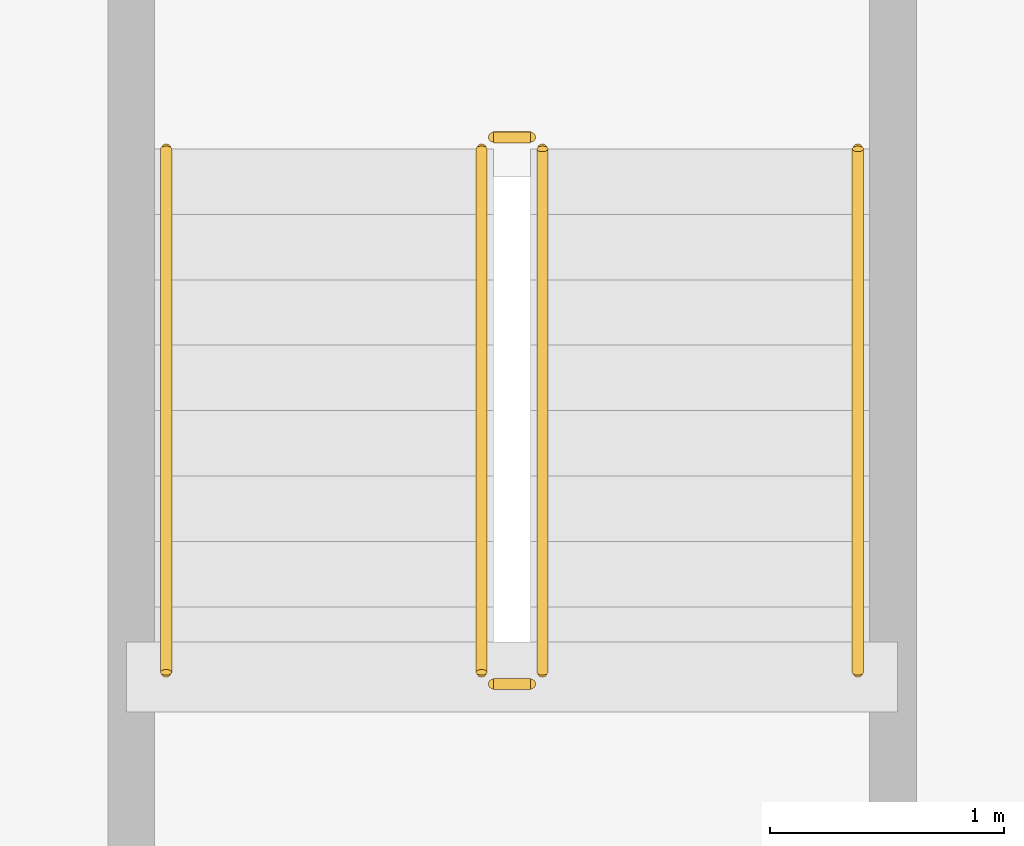
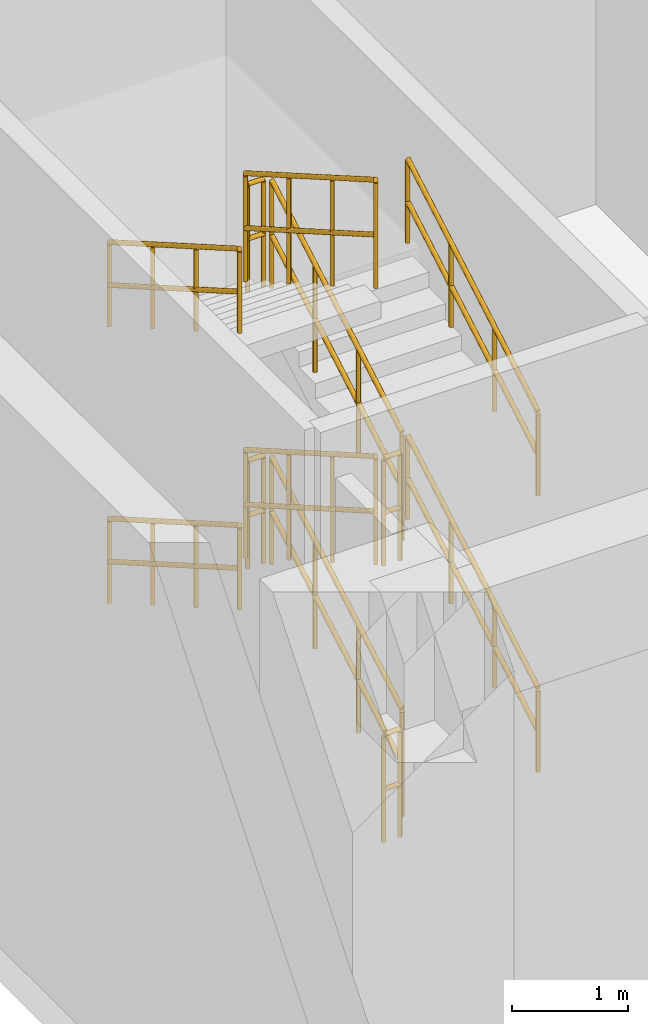
# One storey, part 11 of 12: 12 railings.
"""IFC4 building model written with IfcOpenShell, lengths in metres."""

from ifc_helpers import new_model, si_unit, direction, frame, origin, origin_2d, place, context, subcontext, project, spatial, circle, extrude, material, type_object, element, save


model = new_model("IFC4")

# Units and contexts
model_context = context("Model", 3, precision=1e-05, world=origin(), true_north=direction((0.0, 1.0)))
body_context = subcontext(model_context, "Body", "Model", "MODEL_VIEW")
ifc_project = project(units=[si_unit("LENGTHUNIT", "METRE"), si_unit("AREAUNIT", "SQUARE_METRE"), si_unit("VOLUMEUNIT", "CUBIC_METRE"), si_unit("PLANEANGLEUNIT", "RADIAN"), si_unit("MASSUNIT", "GRAM", prefix="KILO")], contexts=[model_context])

# Site, building, storey
site_placement = place(None, origin())
site = spatial("IfcSite", under=ifc_project, at=site_placement, CompositionType="ELEMENT")
building_placement = place(site_placement, origin())
building = spatial("IfcBuilding", under=site, at=building_placement, Name="Talar Marvaseh", CompositionType="ELEMENT")
storey_placement = place(building_placement, frame((0.0, 0.0, -5.800048828125)))
storey = spatial("IfcBuildingStorey", under=building, at=storey_placement, Name="B01", CompositionType="ELEMENT", Elevation=-5.800048828125)

# Railings
ifc_material = material(Name="Stainless Steel Grade 316", Category="steel")
railing_type_1 = type_object("IfcRailingType", Name="Brushed Stainless Wall Pitch Handrail 900", PredefinedType="HANDRAIL", material=ifc_material)
railing_1_placement = place(storey_placement, frame((5.2099609375, 40.25, 0.1611328125)))
element("IfcRailing", 1, at=railing_1_placement, inside=storey, type_object=railing_type_1, Name="B01 STN-ST1 stair handrail 1", PredefinedType="HANDRAIL", context=body_context, shape_type="SweptSolid", body=[
    extrude(circle(Radius=0.02392578125, at=origin_2d()), frame((0.0, 0.0, 0.8759765625), z_axis=(0.0, 0.866768490956, 0.498710720845), x_axis=(-1.0, 0.0, 0.0)), (0.0, 0.0, 1.0), 2.584228515625),
    extrude(circle(Radius=0.02392578125, at=origin_2d()), frame((0.0, 0.0, 0.42578125), z_axis=(0.0, 0.866768490956, 0.498710720845), x_axis=(-1.0, 0.0, 0.0)), (0.0, 0.0, 1.0), 2.584228515625),
    extrude(circle(Radius=0.02099609375, at=origin_2d()), origin(), (0.0, 0.0, 1.0), 0.851806640625),
    extrude(circle(Radius=0.02099609375, at=origin_2d()), frame((0.0, 0.74658203125, 0.4296875)), (0.0, 0.0, 1.0), 0.851806640625),
    extrude(circle(Radius=0.02099609375, at=origin_2d()), frame((0.0, 1.493408203125, 0.859130859375)), (0.0, 0.0, 1.0), 0.851806640625),
    extrude(circle(Radius=0.02099609375, at=origin_2d()), frame((0.0, 2.239990234375, 1.288818359375)), (0.0, 0.0, 1.0), 0.851806640625),
])
railing_2_placement = place(storey_placement, frame((2.25, 42.489990234375, 1.611083984375)))
element("IfcRailing", 2, at=railing_2_placement, inside=storey, type_object=railing_type_1, Name="B01 STN-ST1 stair handrail 2", PredefinedType="HANDRAIL", context=body_context, shape_type="SweptSolid", body=[
    extrude(circle(Radius=0.02392578125, at=origin_2d()), frame((0.0, 0.0, 0.8759765625), z_axis=(0.0, -0.866727653441, 0.498781690482), x_axis=(1.0, 0.0, 0.0)), (0.0, 0.0, 1.0), 2.58447265625),
    extrude(circle(Radius=0.02392578125, at=origin_2d()), frame((0.0, 0.0, 0.42578125), z_axis=(0.0, -0.866727653441, 0.498781690482), x_axis=(1.0, 0.0, 0.0)), (0.0, 0.0, 1.0), 2.58447265625),
    extrude(circle(Radius=0.02099609375, at=origin_2d()), origin(), (0.0, 0.0, 1.0), 0.851806640625),
    extrude(circle(Radius=0.02099609375, at=origin_2d()), frame((0.0, -0.74658203125, 0.4296875)), (0.0, 0.0, 1.0), 0.851806640625),
    extrude(circle(Radius=0.02099609375, at=origin_2d()), frame((0.0, -1.493408203125, 0.859375)), (0.0, 0.0, 1.0), 0.851806640625),
    extrude(circle(Radius=0.02099609375, at=origin_2d()), frame((0.0, -2.239990234375, 1.2890625)), (0.0, 0.0, 1.0), 0.851806640625),
])
railing_3_placement = place(storey_placement, frame((5.2099609375, 40.25, 3.061279296875)))
element("IfcRailing", 3, at=railing_3_placement, inside=storey, type_object=railing_type_1, Name="B01 STN-ST1 stair handrail 3", PredefinedType="HANDRAIL", context=body_context, shape_type="SweptSolid", body=[
    extrude(circle(Radius=0.02392578125, at=origin_2d()), frame((0.0, 0.0, 0.8759765625), z_axis=(0.0, 0.866768490956, 0.498710720845), x_axis=(-1.0, 0.0, 0.0)), (0.0, 0.0, 1.0), 2.584228515625),
    extrude(circle(Radius=0.02392578125, at=origin_2d()), frame((0.0, 0.0, 0.42578125), z_axis=(0.0, 0.866768490956, 0.498710720845), x_axis=(-1.0, 0.0, 0.0)), (0.0, 0.0, 1.0), 2.584228515625),
    extrude(circle(Radius=0.02099609375, at=origin_2d()), origin(), (0.0, 0.0, 1.0), 0.851806640625),
    extrude(circle(Radius=0.02099609375, at=origin_2d()), frame((0.0, 0.74658203125, 0.4296875)), (0.0, 0.0, 1.0), 0.851806640625),
    extrude(circle(Radius=0.02099609375, at=origin_2d()), frame((0.0, 1.493408203125, 0.859130859375)), (0.0, 0.0, 1.0), 0.851806640625),
    extrude(circle(Radius=0.02099609375, at=origin_2d()), frame((0.0, 2.239990234375, 1.288818359375)), (0.0, 0.0, 1.0), 0.851806640625),
])
railing_4_placement = place(storey_placement, frame((2.25, 42.489990234375, 4.51123046875)))
element("IfcRailing", 4, at=railing_4_placement, inside=storey, type_object=railing_type_1, Name="B01 STN-ST1 stair handrail 4", PredefinedType="HANDRAIL", context=body_context, shape_type="SweptSolid", body=[
    extrude(circle(Radius=0.02392578125, at=origin_2d()), frame((0.0, 0.0, 0.8759765625), z_axis=(0.0, -0.866768490956, 0.498710720845), x_axis=(1.0, 0.0, 0.0)), (0.0, 0.0, 1.0), 2.584228515625),
    extrude(circle(Radius=0.02392578125, at=origin_2d()), frame((0.0, 0.0, 0.42578125), z_axis=(0.0, -0.866768490956, 0.498710720845), x_axis=(1.0, 0.0, 0.0)), (0.0, 0.0, 1.0), 2.584228515625),
    extrude(circle(Radius=0.02099609375, at=origin_2d()), origin(), (0.0, 0.0, 1.0), 0.851806640625),
    extrude(circle(Radius=0.02099609375, at=origin_2d()), frame((0.0, -0.74658203125, 0.4296875)), (0.0, 0.0, 1.0), 0.851806640625),
    extrude(circle(Radius=0.02099609375, at=origin_2d()), frame((0.0, -1.493408203125, 0.859130859375)), (0.0, 0.0, 1.0), 0.851806640625),
    extrude(circle(Radius=0.02099609375, at=origin_2d()), frame((0.0, -2.239990234375, 1.288818359375)), (0.0, 0.0, 1.0), 0.851806640625),
])
railing_type_2 = type_object("IfcRailingType", Name="Painted Steel Core Stair Well Guardrail 1150", PredefinedType="GUARDRAIL", material=ifc_material)
railing_5_placement = place(storey_placement, frame((3.860107421875, 40.25, 0.1611328125)))
element("IfcRailing", 5, at=railing_5_placement, inside=storey, type_object=railing_type_2, Name="B01 STN-ST1 stair guard 1", PredefinedType="GUARDRAIL", context=body_context, shape_type="SweptSolid", body=[
    extrude(circle(Radius=0.02392578125, at=origin_2d()), frame((0.0, 0.0, 1.1259765625), z_axis=(0.0, 0.866768490956, 0.498710720845), x_axis=(-1.0, 0.0, 0.0)), (0.0, 0.0, 1.0), 2.584228515625),
    extrude(circle(Radius=0.02392578125, at=origin_2d()), frame((0.0, 0.0, 0.55078125), z_axis=(0.0, 0.866768490956, 0.498710720845), x_axis=(-1.0, 0.0, 0.0)), (0.0, 0.0, 1.0), 2.584228515625),
    extrude(circle(Radius=0.02099609375, at=origin_2d()), origin(), (0.0, 0.0, 1.0), 1.101806640625),
    extrude(circle(Radius=0.02099609375, at=origin_2d()), frame((0.0, 0.74658203125, 0.4296875)), (0.0, 0.0, 1.0), 1.101806640625),
    extrude(circle(Radius=0.02099609375, at=origin_2d()), frame((0.0, 1.493408203125, 0.859130859375)), (0.0, 0.0, 1.0), 1.101806640625),
    extrude(circle(Radius=0.02099609375, at=origin_2d()), frame((0.0, 2.239990234375, 1.288818359375)), (0.0, 0.0, 1.0), 1.101806640625),
])
railing_6_placement = place(storey_placement, frame((3.81005859375, 42.5400390625, 1.449951171875)))
element("IfcRailing", 6, at=railing_6_placement, inside=storey, type_object=railing_type_2, Name="B01 STN-ST1 stair guard 2", PredefinedType="GUARDRAIL", context=body_context, shape_type="SweptSolid", body=[
    extrude(circle(Radius=0.02392578125, at=origin_2d()), frame((0.0, 0.0, 1.1259765625), z_axis=(-1.0, 0.0, 0.0), x_axis=(0.0, -1.0, 0.0)), (0.0, 0.0, 1.0), 0.16015625),
    extrude(circle(Radius=0.02392578125, at=origin_2d()), frame((0.0, 0.0, 0.55078125), z_axis=(-1.0, 0.0, 0.0), x_axis=(0.0, -1.0, 0.0)), (0.0, 0.0, 1.0), 0.16015625),
    extrude(circle(Radius=0.02099609375, at=origin_2d()), origin(), (0.0, 0.0, 1.0), 1.101806640625),
    extrude(circle(Radius=0.02099609375, at=origin_2d()), frame((-0.16015625, 0.0, 0.0)), (0.0, 0.0, 1.0), 1.101806640625),
])
railing_7_placement = place(storey_placement, frame((3.60009765625, 42.489990234375, 1.611083984375)))
element("IfcRailing", 7, at=railing_7_placement, inside=storey, type_object=railing_type_2, Name="B01 STN-ST1 stair guard 3", PredefinedType="GUARDRAIL", context=body_context, shape_type="SweptSolid", body=[
    extrude(circle(Radius=0.02392578125, at=origin_2d()), frame((0.0, 0.0, 1.1259765625), z_axis=(0.0, -0.866727653441, 0.498781690482), x_axis=(1.0, 0.0, 0.0)), (0.0, 0.0, 1.0), 2.58447265625),
    extrude(circle(Radius=0.02392578125, at=origin_2d()), frame((0.0, 0.0, 0.55078125), z_axis=(0.0, -0.866727653441, 0.498781690482), x_axis=(1.0, 0.0, 0.0)), (0.0, 0.0, 1.0), 2.58447265625),
    extrude(circle(Radius=0.02099609375, at=origin_2d()), origin(), (0.0, 0.0, 1.0), 1.101806640625),
    extrude(circle(Radius=0.02099609375, at=origin_2d()), frame((0.0, -0.74658203125, 0.4296875)), (0.0, 0.0, 1.0), 1.101806640625),
    extrude(circle(Radius=0.02099609375, at=origin_2d()), frame((0.0, -1.493408203125, 0.859375)), (0.0, 0.0, 1.0), 1.101806640625),
    extrude(circle(Radius=0.02099609375, at=origin_2d()), frame((0.0, -2.239990234375, 1.2890625)), (0.0, 0.0, 1.0), 1.101806640625),
])
railing_8_placement = place(storey_placement, frame((3.81005859375, 40.199951171875, 2.900146484375)))
element("IfcRailing", 8, at=railing_8_placement, inside=storey, type_object=railing_type_2, Name="B01 STN-ST1 stair guard 4", PredefinedType="GUARDRAIL", context=body_context, shape_type="SweptSolid", body=[
    extrude(circle(Radius=0.02392578125, at=origin_2d()), frame((0.0, 0.0, 1.1259765625), z_axis=(-1.0, 0.0, 0.0), x_axis=(0.0, -1.0, 0.0)), (0.0, 0.0, 1.0), 0.16015625),
    extrude(circle(Radius=0.02392578125, at=origin_2d()), frame((0.0, 0.0, 0.55078125), z_axis=(-1.0, 0.0, 0.0), x_axis=(0.0, -1.0, 0.0)), (0.0, 0.0, 1.0), 0.16015625),
    extrude(circle(Radius=0.02099609375, at=origin_2d()), origin(), (0.0, 0.0, 1.0), 1.101806640625),
    extrude(circle(Radius=0.02099609375, at=origin_2d()), frame((-0.16015625, 0.0, 0.0)), (0.0, 0.0, 1.0), 1.101806640625),
])
railing_9_placement = place(storey_placement, frame((3.860107421875, 40.25, 3.061279296875)))
element("IfcRailing", 9, at=railing_9_placement, inside=storey, type_object=railing_type_2, Name="B01 STN-ST1 stair guard 5", PredefinedType="GUARDRAIL", context=body_context, shape_type="SweptSolid", body=[
    extrude(circle(Radius=0.02392578125, at=origin_2d()), frame((0.0, 0.0, 1.1259765625), z_axis=(0.0, 0.866768490956, 0.498710720845), x_axis=(-1.0, 0.0, 0.0)), (0.0, 0.0, 1.0), 2.584228515625),
    extrude(circle(Radius=0.02392578125, at=origin_2d()), frame((0.0, 0.0, 0.55078125), z_axis=(0.0, 0.866768490956, 0.498710720845), x_axis=(-1.0, 0.0, 0.0)), (0.0, 0.0, 1.0), 2.584228515625),
    extrude(circle(Radius=0.02099609375, at=origin_2d()), origin(), (0.0, 0.0, 1.0), 1.101806640625),
    extrude(circle(Radius=0.02099609375, at=origin_2d()), frame((0.0, 0.74658203125, 0.4296875)), (0.0, 0.0, 1.0), 1.101806640625),
    extrude(circle(Radius=0.02099609375, at=origin_2d()), frame((0.0, 1.493408203125, 0.859130859375)), (0.0, 0.0, 1.0), 1.101806640625),
    extrude(circle(Radius=0.02099609375, at=origin_2d()), frame((0.0, 2.239990234375, 1.288818359375)), (0.0, 0.0, 1.0), 1.101806640625),
])
railing_10_placement = place(storey_placement, frame((3.81005859375, 42.5400390625, 4.35009765625)))
element("IfcRailing", 10, at=railing_10_placement, inside=storey, type_object=railing_type_2, Name="B01 STN-ST1 stair guard 6", PredefinedType="GUARDRAIL", context=body_context, shape_type="SweptSolid", body=[
    extrude(circle(Radius=0.02392578125, at=origin_2d()), frame((0.0, 0.0, 1.1259765625), z_axis=(-1.0, 0.0, 0.0), x_axis=(0.0, -1.0, 0.0)), (0.0, 0.0, 1.0), 0.16015625),
    extrude(circle(Radius=0.02392578125, at=origin_2d()), frame((0.0, 0.0, 0.55078125), z_axis=(-1.0, 0.0, 0.0), x_axis=(0.0, -1.0, 0.0)), (0.0, 0.0, 1.0), 0.16015625),
    extrude(circle(Radius=0.02099609375, at=origin_2d()), origin(), (0.0, 0.0, 1.0), 1.101806640625),
    extrude(circle(Radius=0.02099609375, at=origin_2d()), frame((-0.16015625, 0.0, 0.0)), (0.0, 0.0, 1.0), 1.101806640625),
])
railing_11_placement = place(storey_placement, frame((3.60009765625, 42.489990234375, 4.51123046875)))
element("IfcRailing", 11, at=railing_11_placement, inside=storey, type_object=railing_type_2, Name="B01 STN-ST1 stair guard 7", PredefinedType="GUARDRAIL", context=body_context, shape_type="SweptSolid", body=[
    extrude(circle(Radius=0.02392578125, at=origin_2d()), frame((0.0, 0.0, 1.1259765625), z_axis=(0.0, -0.866768490956, 0.498710720845), x_axis=(1.0, 0.0, 0.0)), (0.0, 0.0, 1.0), 2.584228515625),
    extrude(circle(Radius=0.02392578125, at=origin_2d()), frame((0.0, 0.0, 0.55078125), z_axis=(0.0, -0.866768490956, 0.498710720845), x_axis=(1.0, 0.0, 0.0)), (0.0, 0.0, 1.0), 2.584228515625),
    extrude(circle(Radius=0.02099609375, at=origin_2d()), origin(), (0.0, 0.0, 1.0), 1.101806640625),
    extrude(circle(Radius=0.02099609375, at=origin_2d()), frame((0.0, -0.74658203125, 0.4296875)), (0.0, 0.0, 1.0), 1.101806640625),
    extrude(circle(Radius=0.02099609375, at=origin_2d()), frame((0.0, -1.493408203125, 0.859130859375)), (0.0, 0.0, 1.0), 1.101806640625),
    extrude(circle(Radius=0.02099609375, at=origin_2d()), frame((0.0, -2.239990234375, 1.288818359375)), (0.0, 0.0, 1.0), 1.101806640625),
])
railing_12_placement = place(storey_placement, frame((3.81005859375, 40.199951171875, 0.0)))
element("IfcRailing", 12, at=railing_12_placement, inside=storey, type_object=railing_type_2, Name="B01 STN-ST1 stair guard 8", PredefinedType="GUARDRAIL", context=body_context, shape_type="SweptSolid", body=[
    extrude(circle(Radius=0.02392578125, at=origin_2d()), frame((0.0, 0.0, 1.1259765625), z_axis=(-1.0, 0.0, 0.0), x_axis=(0.0, -1.0, 0.0)), (0.0, 0.0, 1.0), 0.16015625),
    extrude(circle(Radius=0.02392578125, at=origin_2d()), frame((0.0, 0.0, 0.55078125), z_axis=(-1.0, 0.0, 0.0), x_axis=(0.0, -1.0, 0.0)), (0.0, 0.0, 1.0), 0.16015625),
    extrude(circle(Radius=0.02099609375, at=origin_2d()), origin(), (0.0, 0.0, 1.0), 1.101806640625),
    extrude(circle(Radius=0.02099609375, at=origin_2d()), frame((-0.16015625, 0.0, 0.0)), (0.0, 0.0, 1.0), 1.101806640625),
])

save(model, "model.ifc")
